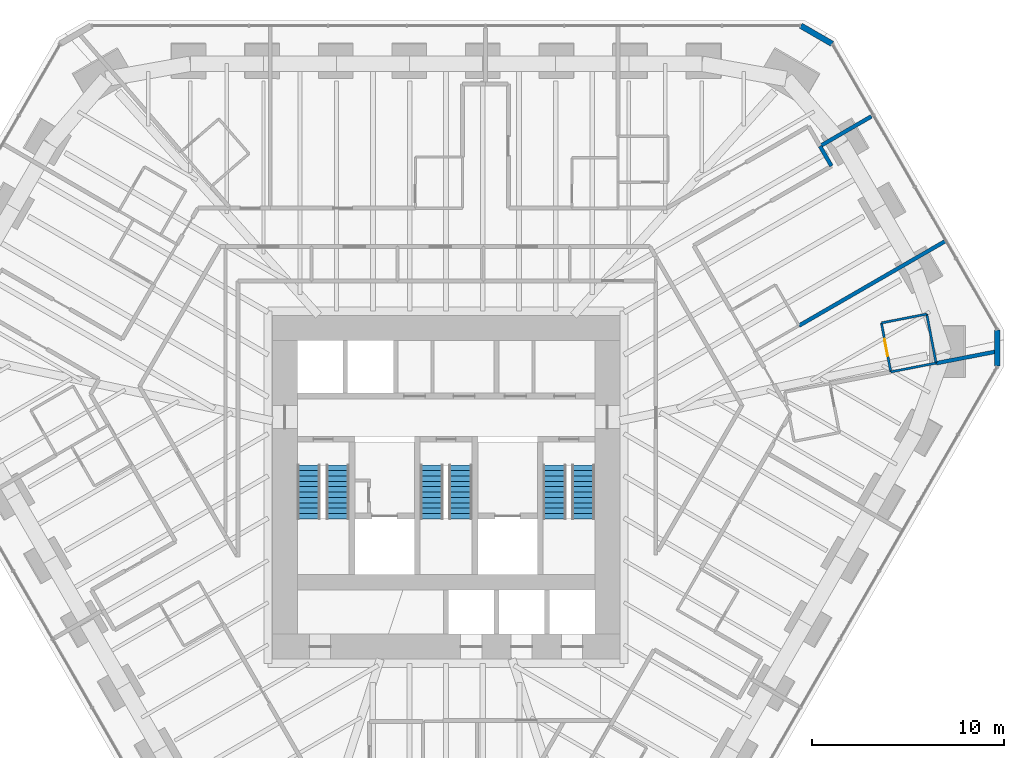
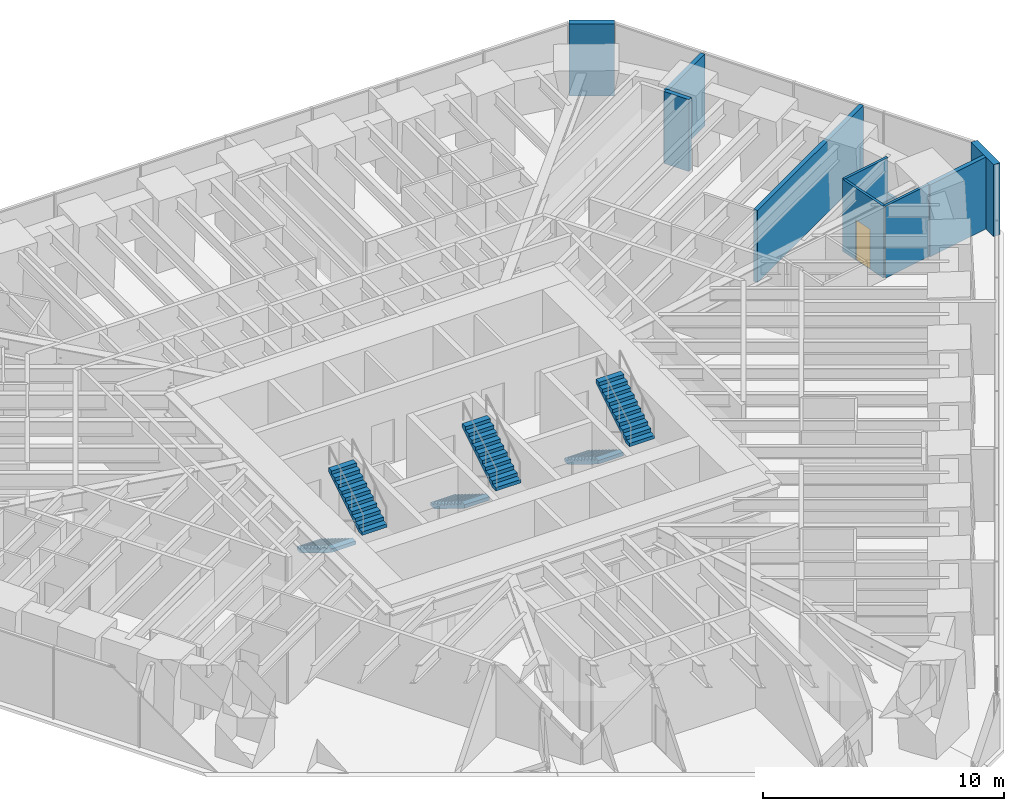
# One storey, part 16 of 17: 10 walls, 6 stair flights, 1 door, 1 opening, 3 elements without a shape of their own.
"""IFC4 building model written with IfcOpenShell, lengths in metres."""

import ifcopenshell
import ifcopenshell.guid

model = None  # the IFC model being written
_history = None  # IfcOwnerHistory: only IFC2X3 demands one
_inside = {}  # id of a spatial element -> (the spatial element, [elements in it])
_under = {}  # id of a project, library or spatial element -> (it, [spatial elements below it])
_declared = {}  # id of a project -> (the project, [libraries it declares])
_typed = {}  # id of a type object -> (the type object, [elements of that type])
_made_of = {}  # id of a material, layer set ... -> (it, [elements and type objects made of it])


def new_model(schema):
    """Start an empty IFC model of exactly this schema.

    Asked for "IFC4X3", IfcOpenShell would pick the latest addendum, in which some entities
    have other attributes; the version numbers below select the first issue.
    IFC2X3 requires an IfcOwnerHistory on every rooted entity: one is made here for all.
    """
    global model, _history
    if schema == "IFC4X3":
        model = ifcopenshell.file(schema_version=(4, 3, 0, 0))
    else:
        model = ifcopenshell.file(schema=schema)
    _inside.clear()
    _under.clear()
    _declared.clear()
    _typed.clear()
    _made_of.clear()
    _history = None
    if model.schema == "IFC2X3":
        org = make("IfcOrganization", Name="unknown")
        user = make(
            "IfcPersonAndOrganization",
            ThePerson=make("IfcPerson", FamilyName="unknown"),
            TheOrganization=org,
        )
        app = make(
            "IfcApplication",
            ApplicationDeveloper=org,
            Version="unknown",
            ApplicationFullName="unknown",
            ApplicationIdentifier="unknown",
        )
        _history = make(
            "IfcOwnerHistory",
            OwningUser=user,
            OwningApplication=app,
            ChangeAction="ADDED",
            CreationDate=0,
        )
    return model


def make(cls, **values):
    """One entity of the class cls with the attributes given. An attribute that is None is left unset."""
    return model.create_entity(
        cls, **{name: value for name, value in values.items() if value is not None}
    )


def rooted(cls, **values):
    """An entity with a GlobalId (a new one), such as an element, a storey or a relation."""
    return make(cls, GlobalId=ifcopenshell.guid.new(), OwnerHistory=_history, **values)


def si_unit(unit_type, name, prefix=None):
    """IfcSIUnit, for example si_unit("LENGTHUNIT", "METRE", prefix="MILLI")."""
    return make("IfcSIUnit", UnitType=unit_type, Prefix=prefix, Name=name)


def assignment(units):
    """IfcUnitAssignment: the units of a project."""
    return None if units is None else make("IfcUnitAssignment", Units=units)


def point(xyz):
    """IfcCartesianPoint."""
    return None if xyz is None else make("IfcCartesianPoint", Coordinates=xyz)


def direction(xyz):
    """IfcDirection."""
    return None if xyz is None else make("IfcDirection", DirectionRatios=xyz)


def frame(location, z_axis=None, x_axis=None):
    """IfcAxis2Placement3D, a coordinate frame: its origin and axes. An axis left out is left unset."""
    return make(
        "IfcAxis2Placement3D",
        Location=point(location),
        Axis=direction(z_axis),
        RefDirection=direction(x_axis),
    )


def frame_2d(location, x_axis=None):
    """IfcAxis2Placement2D, a coordinate frame in the plane: its origin and x axis."""
    return make(
        "IfcAxis2Placement2D", Location=point(location), RefDirection=direction(x_axis)
    )


def origin():
    """The frame at (0, 0, 0) with its axes left unset."""
    return frame((0.0, 0.0, 0.0))


def place(relative_to, where):
    """IfcLocalPlacement: puts the frame where relative to a parent placement (None: the world)."""
    return make(
        "IfcLocalPlacement", PlacementRelTo=relative_to, RelativePlacement=where
    )


def context(
    kind, dimensions, precision=None, world=None, true_north=None, identifier=None
):
    """IfcGeometricRepresentationContext, for example the 3D "Model" context."""
    return make(
        "IfcGeometricRepresentationContext",
        ContextIdentifier=identifier,
        ContextType=kind,
        CoordinateSpaceDimension=dimensions,
        Precision=precision,
        WorldCoordinateSystem=world,
        TrueNorth=true_north,
    )


def subcontext(parent, identifier, kind, view, scale=None):
    """IfcGeometricRepresentationSubContext, for example "Body" below "Model"."""
    return make(
        "IfcGeometricRepresentationSubContext",
        ContextIdentifier=identifier,
        ContextType=kind,
        ParentContext=parent,
        TargetScale=scale,
        TargetView=view,
    )


def project(units=None, contexts=None):
    """IfcProject with its units and contexts."""
    return rooted(
        "IfcProject",
        Name="project",
        RepresentationContexts=contexts,
        UnitsInContext=assignment(units),
    )


def spatial(cls, under=None, at=None, **own):
    """A site, building, storey or space (cls), placed at a placement, below another one or the project."""
    s = rooted(cls, ObjectPlacement=at, **own)
    if under is not None:
        _under.setdefault(under.id(), (under, []))[1].append(s)
    return s


def polyline(points):
    """IfcPolyline through the points."""
    return make("IfcPolyline", Points=[point(p) for p in points])


def profile(cls, at=None, kind="AREA", **sizes):
    """A parametric profile (cls). Its sizes go by their IFC names, for example OverallWidth=200.0."""
    return make(cls, ProfileType=kind, Position=at, **sizes)


def rectangle(**sizes):
    """IfcRectangleProfileDef."""
    return profile("IfcRectangleProfileDef", **sizes)


def outline(outer, holes=None, kind="AREA"):
    """IfcArbitraryClosedProfileDef: a profile drawn as a closed curve; with holes, ...WithVoids."""
    if holes is None:
        return make("IfcArbitraryClosedProfileDef", ProfileType=kind, OuterCurve=outer)
    return make(
        "IfcArbitraryProfileDefWithVoids",
        ProfileType=kind,
        OuterCurve=outer,
        InnerCurves=holes,
    )


def extrude(swept, where, along, depth):
    """IfcExtrudedAreaSolid: the profile swept, set in the frame where, extruded along a direction by depth."""
    return make(
        "IfcExtrudedAreaSolid",
        SweptArea=swept,
        Position=where,
        ExtrudedDirection=direction(along),
        Depth=depth,
    )


def shape(context_of_items, identifier, shape_type, items):
    """IfcShapeRepresentation: the items that make up one representation, for example the "Body"."""
    return make(
        "IfcShapeRepresentation",
        ContextOfItems=context_of_items,
        RepresentationIdentifier=identifier,
        RepresentationType=shape_type,
        Items=items,
    )


def material(Name=None, Category=None):
    """IfcMaterial."""
    return make("IfcMaterial", Name=Name, Category=Category)


def layer(
    of_material, thickness, ventilated=None, Name=None, Category=None, Priority=None
):
    """IfcMaterialLayer: one layer of a wall or slab, of a material (None: an air gap)."""
    return make(
        "IfcMaterialLayer",
        Material=of_material,
        LayerThickness=thickness,
        IsVentilated=ventilated,
        Name=Name,
        Category=Category,
        Priority=Priority,
    )


def layer_set(layers, Name=None):
    """IfcMaterialLayerSet."""
    return make("IfcMaterialLayerSet", MaterialLayers=layers, LayerSetName=Name)


def made_of(thing, what):
    """Note that an element or type object is made of a material, layer set ...; save() writes the relation."""
    if what is not None:
        _made_of.setdefault(what.id(), (what, []))[1].append(thing)
    return thing


def type_object(cls, material=None, **own):
    """A type object (cls), such as IfcWallType, which elements share."""
    return made_of(rooted(cls, **own), material)


def element(
    cls,
    number,
    at=None,
    inside=None,
    cuts=None,
    type_object=None,
    material=None,
    context=None,
    identifier="Body",
    shape_type=None,
    held_by="IfcProductDefinitionShape",
    body=None,
    shapes=None,
    **own,
):
    """One element of the class cls, such as IfcWall. Its Tag is "e" and its number.

    at: its placement. inside: the storey or other place that contains it. cuts: it is an
    opening in that element (IfcRelVoidsElement). A single representation is given by context,
    identifier, shape_type and body (its items); several are given by shapes. held_by: the class
    of the entity that holds the representations. save() writes the other relations.
    """
    e = rooted(cls, Tag="e%d" % number, ObjectPlacement=at, **own)
    if body is not None:
        shapes = [shape(context, identifier, shape_type, body)]
    if shapes is not None:
        e.Representation = make(held_by, Representations=shapes)
    if inside is not None:
        _inside.setdefault(inside.id(), (inside, []))[1].append(e)
    if cuts is not None:
        rooted(
            "IfcRelVoidsElement", RelatingBuildingElement=cuts, RelatedOpeningElement=e
        )
    if type_object is not None:
        _typed.setdefault(type_object.id(), (type_object, []))[1].append(e)
    return made_of(e, material)


def fill(opening, filler):
    """IfcRelFillsElement: the door or window that sits in an opening."""
    return rooted(
        "IfcRelFillsElement",
        RelatingOpeningElement=opening,
        RelatedBuildingElement=filler,
    )


def aggregate(whole, parts):
    """IfcRelAggregates: a whole, such as a stair, and the parts it consists of."""
    return rooted("IfcRelAggregates", RelatingObject=whole, RelatedObjects=parts)


def save(model, path):
    """Write the relations noted so far, then the file.

    IfcRelAggregates (storeys below a building ...), IfcRelContainedInSpatialStructure (elements
    in a storey), IfcRelDefinesByType, IfcRelAssociatesMaterial and IfcRelDeclares: one each for
    every whole, place, type object, material and project.
    """
    for whole, parts in _under.values():
        aggregate(whole, parts)
    for where, things in _inside.values():
        rooted(
            "IfcRelContainedInSpatialStructure",
            RelatedElements=things,
            RelatingStructure=where,
        )
    for kind, things in _typed.values():
        rooted("IfcRelDefinesByType", RelatedObjects=things, RelatingType=kind)
    for what, things in _made_of.values():
        rooted("IfcRelAssociatesMaterial", RelatedObjects=things, RelatingMaterial=what)
    for by, libraries in _declared.values():
        rooted("IfcRelDeclares", RelatingContext=by, RelatedDefinitions=libraries)
    model.write(path)


model = new_model("IFC4")

# Units and contexts
model_context = context("Model", 3, precision=1e-05, world=origin(), true_north=direction((0.0, 1.0)))
body_context = subcontext(model_context, "Body", "Model", "MODEL_VIEW")
ifc_project = project(units=[si_unit("LENGTHUNIT", "METRE"), si_unit("AREAUNIT", "SQUARE_METRE"), si_unit("VOLUMEUNIT", "CUBIC_METRE"), si_unit("PLANEANGLEUNIT", "RADIAN"), si_unit("MASSUNIT", "GRAM", prefix="KILO")], contexts=[model_context])

# Site, building, storey
site_placement = place(None, origin())
site = spatial("IfcSite", under=ifc_project, at=site_placement, CompositionType="ELEMENT")
building_placement = place(site_placement, origin())
building = spatial("IfcBuilding", under=site, at=building_placement, Name="Sandreach Pilgrim Tower", CompositionType="ELEMENT")
storey_placement = place(building_placement, frame((0.0, 0.0, 161.39990234375)))
storey = spatial("IfcBuildingStorey", under=building, at=storey_placement, Name="L40", CompositionType="ELEMENT", Elevation=161.39990234375)

# Wall, opening, door
ifc_material_1 = material(Name="Moisture-resistant gypsum board on steel studs", Category="steel")
ifc_layer_1 = layer(ifc_material_1, 0.1201171875)
ifc_layer_set_1 = layer_set([ifc_layer_1], Name="Bathroom partition 120")
wall_type_1 = type_object("IfcWallType", Name="Bathroom partition 120", PredefinedType="PARTITIONING", material=ifc_layer_set_1)
wall_1_placement = place(storey_placement, frame((22.679931640625, 7.010009765625, 0.0), z_axis=(0.0, 0.0, 1.0), x_axis=(0.188697442844, -0.982035271802, 0.0)))
wall_1 = element("IfcWall", 1, at=wall_1_placement, inside=storey, type_object=wall_type_1, Name="Bathroom partition L40-176", PredefinedType="PARTITIONING", context=body_context, shape_type="SweptSolid", body=[
    extrude(rectangle(XDim=2.5966796875, YDim=0.1201171875, at=frame_2d((1.29833984375, 0.0))), origin(), (0.0, 0.0, 1.0), 3.64013671875),
])
opening_placement = place(wall_1_placement, frame((0.85009765625, 0.0, 0.0)))
opening = element("IfcOpeningElement", 2, at=opening_placement, cuts=wall_1, Name="Opening D09-06B", PredefinedType="OPENING", context=body_context, shape_type="SweptSolid", body=[
    extrude(rectangle(XDim=0.89990234375, YDim=2.030029296875, at=frame_2d((0.449951171875, 1.01513671875))), frame((0.0, 0.06005859375, 0.0), z_axis=(0.0, -1.0, 0.0), x_axis=(1.0, 0.0, 0.0)), (0.0, 0.0, 1.0), 0.1201171875),
])
ifc_material_2 = material(Name="Timber door, steel frame", Category="steel")
door_type = type_object("IfcDoorType", Name="Bathroom door", OperationType="SINGLE_SWING_LEFT", PredefinedType="DOOR", material=ifc_material_2)
door_placement = place(opening_placement, origin())
door = element("IfcDoor", 3, at=door_placement, inside=storey, type_object=door_type, Name="Door 4006B", OperationType="SINGLE_SWING_LEFT", OverallHeight=2.030029296875, OverallWidth=0.89990234375, PredefinedType="DOOR", context=body_context, shape_type="SweptSolid", body=[
    extrude(rectangle(XDim=0.89990234375, YDim=2.030029296875, at=frame_2d((0.449951171875, 1.01513671875))), frame((0.0, 0.02490234375, 0.0), z_axis=(0.0, -1.0, 0.0), x_axis=(1.0, 0.0, 0.0)), (0.0, 0.0, 1.0), 0.050048828125),
])
fill(opening, door)

# Walls
for number, where, z_axis, x_axis, name in (
    (4, (23.169921875, 4.4599609375, 0.0), (0.0, 0.0, 1.0), (0.981533392326, 0.191290877329, 0.0), "Bathroom partition L40-177"),
    (5, (25.0400390625, 7.469970703125, 0.0), (0.0, 0.0, 1.0), (-0.981533392326, -0.191290877329, 0.0), "Bathroom partition L40-179"),
):
    element("IfcWall", number, at=place(storey_placement, frame(where, z_axis=z_axis, x_axis=x_axis)), inside=storey, type_object=wall_type_1, Name=name, PredefinedType="PARTITIONING", context=body_context, shape_type="SweptSolid", body=[
        extrude(rectangle(XDim=2.404541015625, YDim=0.1201171875, at=frame_2d((1.2021484375, 0.0))), origin(), (0.0, 0.0, 1.0), 3.64013671875),
    ])
wall_2_placement = place(storey_placement, frame((25.530029296875, 4.919921875, 0.0), z_axis=(0.0, 0.0, 1.0), x_axis=(-0.188697442844, 0.982035271802, 0.0)))
element("IfcWall", 6, at=wall_2_placement, inside=storey, type_object=wall_type_1, Name="Bathroom partition L40-180", PredefinedType="PARTITIONING", context=body_context, shape_type="SweptSolid", body=[
    extrude(rectangle(XDim=2.5966796875, YDim=0.1201171875, at=frame_2d((1.29833984375, 0.0))), origin(), (0.0, 0.0, 1.0), 1.840087890625),
])
ifc_material_3 = material(Name="Gypsum board on steel studs, two layers each side", Category="steel")
ifc_layer_2 = layer(ifc_material_3, 0.199951171875)
ifc_layer_set_2 = layer_set([ifc_layer_2], Name="Corridor wall 200")
wall_type_2 = type_object("IfcWallType", Name="Corridor wall 200", PredefinedType="PARTITIONING", material=ifc_layer_set_2)
wall_3_placement = place(storey_placement, frame((19.47998046875, 16.219970703125, 0.0), z_axis=(0.0, 0.0, 1.0), x_axis=(0.499734288277, -0.866178758179, 0.0)))
element("IfcWall", 7, at=wall_3_placement, inside=storey, type_object=wall_type_2, Name="Corridor wall L40-172", PredefinedType="PARTITIONING", context=body_context, shape_type="SweptSolid", body=[
    extrude(rectangle(XDim=1.190673828125, YDim=0.199951171875, at=frame_2d((0.59521484375, 0.0))), origin(), (0.0, 0.0, 1.0), 3.64013671875),
])
ifc_material_4 = material(Name="Double steel stud acoustic wall, gypsum board", Category="steel")
ifc_layer_3 = layer(ifc_material_4, 0.199951171875)
ifc_layer_set_3 = layer_set([ifc_layer_3], Name="Party wall 200")
wall_type_3 = type_object("IfcWallType", Name="Party wall 200", PredefinedType="PARTITIONING", material=ifc_layer_set_3)
wall_4_placement = place(storey_placement, frame((18.389892578125, 6.8701171875, 0.0), z_axis=(0.0, 0.0, 1.0), x_axis=(0.865875215531, 0.500260043506, 0.0)))
element("IfcWall", 8, at=wall_4_placement, inside=storey, type_object=wall_type_3, Name="Party wall L40-169", PredefinedType="PARTITIONING", context=body_context, shape_type="SweptSolid", body=[
    extrude(rectangle(XDim=8.804931640625, YDim=0.199951171875, at=frame_2d((4.40234375, 0.0))), origin(), (0.0, 0.0, 1.0), 3.64013671875),
])
wall_5_placement = place(storey_placement, frame((22.15625, 17.769775390625, 0.0), z_axis=(0.0, 0.0, 1.0), x_axis=(-0.865382833183, -0.501111317006, 0.0)))
element("IfcWall", 9, at=wall_5_placement, inside=storey, type_object=wall_type_3, Name="Party wall L40-175", PredefinedType="PARTITIONING", context=body_context, shape_type="SweptSolid", body=[
    extrude(rectangle(XDim=3.07763671875, YDim=0.199951171875, at=frame_2d((1.538818359375, 0.0))), origin(), (0.0, 0.0, 1.0), 3.64013671875),
])
wall_6_placement = place(storey_placement, frame((28.740478515625, 5.5341796875, 0.0), z_axis=(0.0, 0.0, 1.0), x_axis=(-0.98161461266, -0.190873655101, 0.0)))
element("IfcWall", 10, at=wall_6_placement, inside=storey, type_object=wall_type_3, Name="Party wall L40-181", PredefinedType="PARTITIONING", context=body_context, shape_type="SweptSolid", body=[
    extrude(rectangle(XDim=3.2705078125, YDim=0.199951171875, at=frame_2d((1.63525390625, 0.0))), origin(), (0.0, 0.0, 1.0), 3.64013671875),
])
ifc_material_5 = material(Name="Terracotta rainscreen on concrete", Category="masonry")
ifc_layer_4 = layer(ifc_material_5, 0.300048828125)
ifc_layer_set_4 = layer_set([ifc_layer_4], Name="Terracotta chamfer pier")
wall_type_4 = type_object("IfcWallType", Name="Terracotta chamfer pier", PredefinedType="SOLIDWALL", material=ifc_layer_set_4)
wall_7_placement = place(storey_placement, frame((18.4814453125, 22.493896484375, 0.0), z_axis=(0.0, 0.0, 1.0), x_axis=(0.865988793993, -0.500063404658, 0.0)))
element("IfcWall", 11, at=wall_7_placement, inside=storey, type_object=wall_type_4, Name="Chamfer pier L40 N", PredefinedType="SOLIDWALL", context=body_context, shape_type="SweptSolid", body=[
    extrude(rectangle(XDim=1.880126953125, YDim=0.300048828125, at=frame_2d((0.93994140625, 0.0))), origin(), (0.0, 0.0, 1.0), 3.64013671875),
])
wall_8_placement = place(storey_placement, frame((28.720947265625, 6.638427734375, 0.0), z_axis=(0.0, 0.0, 1.0), x_axis=(0.0, -1.0, 0.0)))
element("IfcWall", 12, at=wall_8_placement, inside=storey, type_object=wall_type_4, Name="Chamfer pier L40 NE", PredefinedType="SOLIDWALL", context=body_context, shape_type="SweptSolid", body=[
    extrude(rectangle(XDim=1.8798828125, YDim=0.300048828125, at=frame_2d((0.93994140625, 0.0))), origin(), (0.0, 0.0, 1.0), 3.64013671875),
])

# Stair, stair flights
ifc_material_6 = material(Name="Concrete 8000 psi", Category="concrete")
stair_type = type_object("IfcStairType", Name="Core exit stair", PredefinedType="HALF_TURN_STAIR", material=ifc_material_6)
stair_1_placement = place(storey_placement, origin())
stair_1 = element("IfcStair", 13, at=stair_1_placement, inside=storey, type_object=stair_type, Name="Exit stair ST1 L40", PredefinedType="HALF_TURN_STAIR")
ifc_material_7 = material(Name="Concrete 8000 psi", Category="concrete")
stair_flight_type = type_object("IfcStairFlightType", Name="Core stair flight 1200", PredefinedType="STRAIGHT", material=ifc_material_7)
stair_flight_1_placement = place(storey_placement, frame((-7.14990234375, -0.39990234375, 0.0), z_axis=(0.0, 0.0, 1.0), x_axis=(0.0, -1.0, 0.0)))
stair_flight_1 = element("IfcStairFlight", 14, at=stair_flight_1_placement, type_object=stair_flight_type, Name="ST1 flight 1", NumberOfRisers=11, NumberOfTreads=10, PredefinedType="STRAIGHT", RiserHeight=0.172727273, TreadLength=0.28, context=body_context, shape_type="SweptSolid", body=[
    extrude(outline(polyline([(0.0, 0.0), (0.0, 0.172607421875), (0.280029296875, 0.172607421875), (0.280029296875, 0.345458984375), (0.56005859375, 0.345458984375), (0.56005859375, 0.51806640625), (0.840087890625, 0.51806640625), (0.840087890625, 0.69091796875), (1.1201171875, 0.69091796875), (1.1201171875, 0.863525390625), (1.39990234375, 0.863525390625), (1.39990234375, 1.036376953125), (1.679931640625, 1.036376953125), (1.679931640625, 1.208984375), (1.9599609375, 1.208984375), (1.9599609375, 1.3818359375), (2.239990234375, 1.3818359375), (2.239990234375, 1.554443359375), (2.52001953125, 1.554443359375), (2.52001953125, 1.727294921875), (2.800048828125, 1.727294921875), (2.800048828125, 1.89990234375), (2.800048828125, 1.551025390625), (0.285400390625, 0.0), (0.0, 0.0)])), frame((0.0, 0.60009765625, 0.0), z_axis=(0.0, -1.0, 0.0), x_axis=(1.0, 0.0, 0.0)), (0.0, 0.0, 1.0), 1.199951171875),
])
stair_flight_2_placement = place(storey_placement, frame((-5.64990234375, -3.199951171875, 1.900146484375), z_axis=(0.0, 0.0, 1.0), x_axis=(0.0, 1.0, 0.0)))
stair_flight_2 = element("IfcStairFlight", 15, at=stair_flight_2_placement, type_object=stair_flight_type, Name="ST1 flight 2", NumberOfRisers=11, NumberOfTreads=10, PredefinedType="STRAIGHT", RiserHeight=0.172727273, TreadLength=0.28, context=body_context, shape_type="SweptSolid", body=[
    extrude(outline(polyline([(0.0, 0.0), (0.0, 0.172607421875), (0.280029296875, 0.172607421875), (0.280029296875, 0.345458984375), (0.56005859375, 0.345458984375), (0.56005859375, 0.51806640625), (0.840087890625, 0.51806640625), (0.840087890625, 0.69091796875), (1.1201171875, 0.69091796875), (1.1201171875, 0.863525390625), (1.39990234375, 0.863525390625), (1.39990234375, 1.036376953125), (1.679931640625, 1.036376953125), (1.679931640625, 1.208984375), (1.9599609375, 1.208984375), (1.9599609375, 1.3818359375), (2.239990234375, 1.3818359375), (2.239990234375, 1.554443359375), (2.52001953125, 1.554443359375), (2.52001953125, 1.727294921875), (2.800048828125, 1.727294921875), (2.800048828125, 1.89990234375), (2.800048828125, 1.551025390625), (0.285400390625, 0.0), (0.0, 0.0)])), frame((0.0, 0.60009765625, 0.0), z_axis=(0.0, -1.0, 0.0), x_axis=(1.0, 0.0, 0.0)), (0.0, 0.0, 1.0), 1.199951171875),
])
aggregate(stair_1, [stair_flight_1, stair_flight_2])

stair_2_placement = place(storey_placement, origin())
stair_2 = element("IfcStair", 16, at=stair_2_placement, inside=storey, type_object=stair_type, Name="Exit stair ST3 L40", PredefinedType="HALF_TURN_STAIR")
stair_flight_3_placement = place(storey_placement, frame((-0.75, -0.39990234375, 0.0), z_axis=(0.0, 0.0, 1.0), x_axis=(0.0, -1.0, 0.0)))
stair_flight_3 = element("IfcStairFlight", 17, at=stair_flight_3_placement, type_object=stair_flight_type, Name="ST3 flight 1", NumberOfRisers=11, NumberOfTreads=10, PredefinedType="STRAIGHT", RiserHeight=0.172727273, TreadLength=0.28, context=body_context, shape_type="SweptSolid", body=[
    extrude(outline(polyline([(0.0, 0.0), (0.0, 0.172607421875), (0.280029296875, 0.172607421875), (0.280029296875, 0.345458984375), (0.56005859375, 0.345458984375), (0.56005859375, 0.51806640625), (0.840087890625, 0.51806640625), (0.840087890625, 0.69091796875), (1.1201171875, 0.69091796875), (1.1201171875, 0.863525390625), (1.39990234375, 0.863525390625), (1.39990234375, 1.036376953125), (1.679931640625, 1.036376953125), (1.679931640625, 1.208984375), (1.9599609375, 1.208984375), (1.9599609375, 1.3818359375), (2.239990234375, 1.3818359375), (2.239990234375, 1.554443359375), (2.52001953125, 1.554443359375), (2.52001953125, 1.727294921875), (2.800048828125, 1.727294921875), (2.800048828125, 1.89990234375), (2.800048828125, 1.551025390625), (0.285400390625, 0.0), (0.0, 0.0)])), frame((0.0, 0.60009765625, 0.0), z_axis=(0.0, -1.0, 0.0), x_axis=(1.0, 0.0, 0.0)), (0.0, 0.0, 1.0), 1.199951171875),
])
stair_flight_4_placement = place(storey_placement, frame((0.75, -3.199951171875, 1.900146484375), z_axis=(0.0, 0.0, 1.0), x_axis=(0.0, 1.0, 0.0)))
stair_flight_4 = element("IfcStairFlight", 18, at=stair_flight_4_placement, type_object=stair_flight_type, Name="ST3 flight 2", NumberOfRisers=11, NumberOfTreads=10, PredefinedType="STRAIGHT", RiserHeight=0.172727273, TreadLength=0.28, context=body_context, shape_type="SweptSolid", body=[
    extrude(outline(polyline([(0.0, 0.0), (0.0, 0.172607421875), (0.280029296875, 0.172607421875), (0.280029296875, 0.345458984375), (0.56005859375, 0.345458984375), (0.56005859375, 0.51806640625), (0.840087890625, 0.51806640625), (0.840087890625, 0.69091796875), (1.1201171875, 0.69091796875), (1.1201171875, 0.863525390625), (1.39990234375, 0.863525390625), (1.39990234375, 1.036376953125), (1.679931640625, 1.036376953125), (1.679931640625, 1.208984375), (1.9599609375, 1.208984375), (1.9599609375, 1.3818359375), (2.239990234375, 1.3818359375), (2.239990234375, 1.554443359375), (2.52001953125, 1.554443359375), (2.52001953125, 1.727294921875), (2.800048828125, 1.727294921875), (2.800048828125, 1.89990234375), (2.800048828125, 1.551025390625), (0.285400390625, 0.0), (0.0, 0.0)])), frame((0.0, 0.60009765625, 0.0), z_axis=(0.0, -1.0, 0.0), x_axis=(1.0, 0.0, 0.0)), (0.0, 0.0, 1.0), 1.199951171875),
])
aggregate(stair_2, [stair_flight_3, stair_flight_4])

stair_3_placement = place(storey_placement, origin())
stair_3 = element("IfcStair", 19, at=stair_3_placement, inside=storey, type_object=stair_type, Name="Exit stair ST2 L40", PredefinedType="HALF_TURN_STAIR")
stair_flight_5_placement = place(storey_placement, frame((5.64990234375, -0.39990234375, 0.0), z_axis=(0.0, 0.0, 1.0), x_axis=(0.0, -1.0, 0.0)))
stair_flight_5 = element("IfcStairFlight", 20, at=stair_flight_5_placement, type_object=stair_flight_type, Name="ST2 flight 1", NumberOfRisers=11, NumberOfTreads=10, PredefinedType="STRAIGHT", RiserHeight=0.172727273, TreadLength=0.28, context=body_context, shape_type="SweptSolid", body=[
    extrude(outline(polyline([(0.0, 0.0), (0.0, 0.172607421875), (0.280029296875, 0.172607421875), (0.280029296875, 0.345458984375), (0.56005859375, 0.345458984375), (0.56005859375, 0.51806640625), (0.840087890625, 0.51806640625), (0.840087890625, 0.69091796875), (1.1201171875, 0.69091796875), (1.1201171875, 0.863525390625), (1.39990234375, 0.863525390625), (1.39990234375, 1.036376953125), (1.679931640625, 1.036376953125), (1.679931640625, 1.208984375), (1.9599609375, 1.208984375), (1.9599609375, 1.3818359375), (2.239990234375, 1.3818359375), (2.239990234375, 1.554443359375), (2.52001953125, 1.554443359375), (2.52001953125, 1.727294921875), (2.800048828125, 1.727294921875), (2.800048828125, 1.89990234375), (2.800048828125, 1.551025390625), (0.285400390625, 0.0), (0.0, 0.0)])), frame((0.0, 0.60009765625, 0.0), z_axis=(0.0, -1.0, 0.0), x_axis=(1.0, 0.0, 0.0)), (0.0, 0.0, 1.0), 1.199951171875),
])
stair_flight_6_placement = place(storey_placement, frame((7.14990234375, -3.199951171875, 1.900146484375), z_axis=(0.0, 0.0, 1.0), x_axis=(0.0, 1.0, 0.0)))
stair_flight_6 = element("IfcStairFlight", 21, at=stair_flight_6_placement, type_object=stair_flight_type, Name="ST2 flight 2", NumberOfRisers=11, NumberOfTreads=10, PredefinedType="STRAIGHT", RiserHeight=0.172727273, TreadLength=0.28, context=body_context, shape_type="SweptSolid", body=[
    extrude(outline(polyline([(0.0, 0.0), (0.0, 0.172607421875), (0.280029296875, 0.172607421875), (0.280029296875, 0.345458984375), (0.56005859375, 0.345458984375), (0.56005859375, 0.51806640625), (0.840087890625, 0.51806640625), (0.840087890625, 0.69091796875), (1.1201171875, 0.69091796875), (1.1201171875, 0.863525390625), (1.39990234375, 0.863525390625), (1.39990234375, 1.036376953125), (1.679931640625, 1.036376953125), (1.679931640625, 1.208984375), (1.9599609375, 1.208984375), (1.9599609375, 1.3818359375), (2.239990234375, 1.3818359375), (2.239990234375, 1.554443359375), (2.52001953125, 1.554443359375), (2.52001953125, 1.727294921875), (2.800048828125, 1.727294921875), (2.800048828125, 1.89990234375), (2.800048828125, 1.551025390625), (0.285400390625, 0.0), (0.0, 0.0)])), frame((0.0, 0.60009765625, 0.0), z_axis=(0.0, -1.0, 0.0), x_axis=(1.0, 0.0, 0.0)), (0.0, 0.0, 1.0), 1.199951171875),
])
aggregate(stair_3, [stair_flight_5, stair_flight_6])

save(model, "model.ifc")
